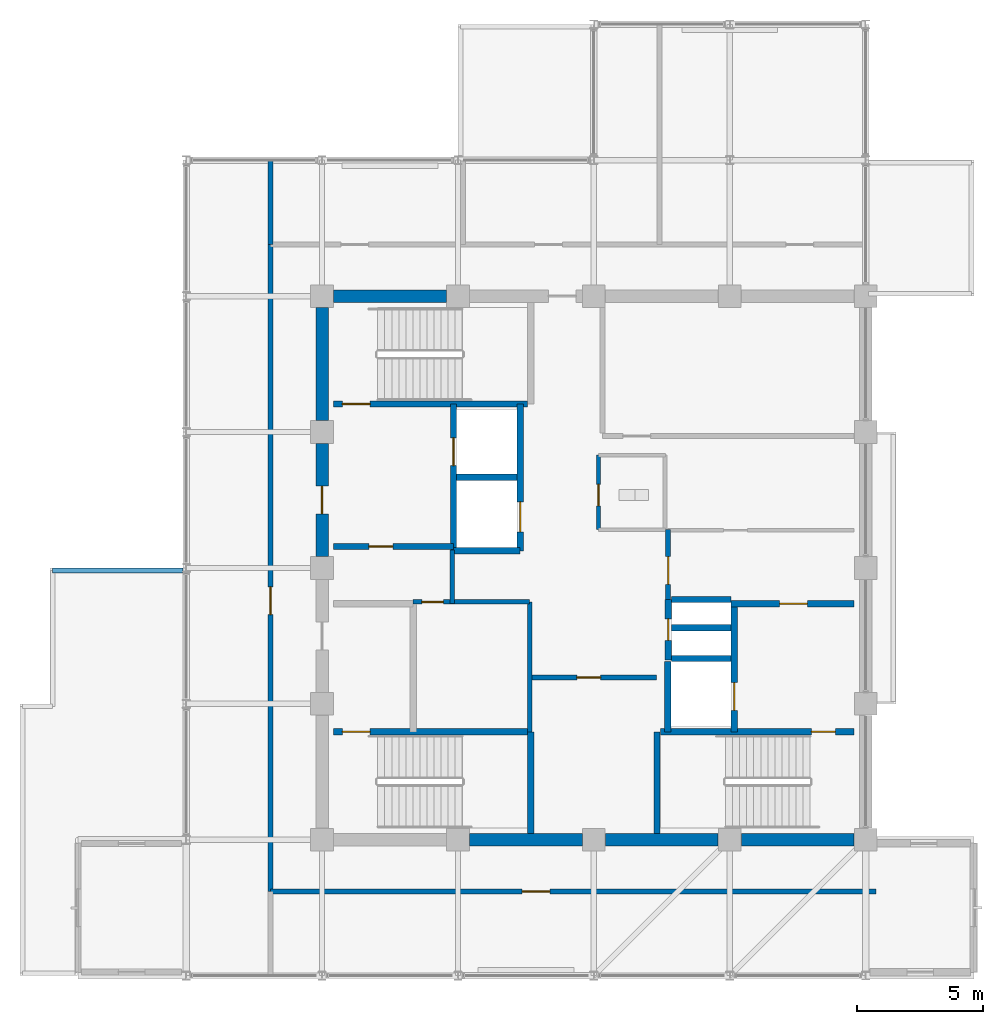
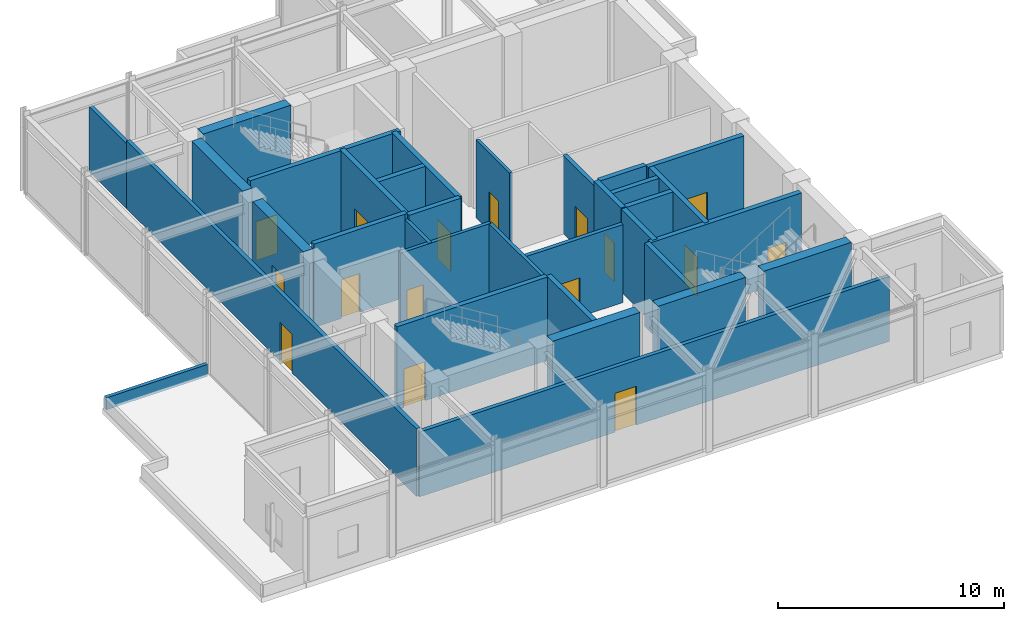
# One storey, part 13 of 18: 33 walls, 16 doors, 16 openings.
"""IFC4 building model written with IfcOpenShell, lengths in metres."""

from ifc_helpers import new_model, si_unit, direction, frame, frame_2d, origin, place, context, subcontext, project, spatial, rectangle, extrude, material, layer, layer_set, type_object, element, fill, save


model = new_model("IFC4")

# Units and contexts
model_context = context("Model", 3, precision=1e-05, world=origin(), true_north=direction((0.0, 1.0)))
body_context = subcontext(model_context, "Body", "Model", "MODEL_VIEW")
ifc_project = project(units=[si_unit("LENGTHUNIT", "METRE"), si_unit("AREAUNIT", "SQUARE_METRE"), si_unit("VOLUMEUNIT", "CUBIC_METRE"), si_unit("PLANEANGLEUNIT", "RADIAN"), si_unit("MASSUNIT", "GRAM", prefix="KILO")], contexts=[model_context])

# Site, building, storey
site_placement = place(None, origin())
site = spatial("IfcSite", under=ifc_project, at=site_placement, CompositionType="ELEMENT")
building_placement = place(site_placement, origin())
building = spatial("IfcBuilding", under=site, at=building_placement, Name="Surkhivell Harbour Commons", CompositionType="ELEMENT")
storey_placement = place(building_placement, frame((0.0, 0.0, 351.0)))
storey = spatial("IfcBuildingStorey", under=building, at=storey_placement, Name="L91", CompositionType="ELEMENT", Elevation=351.0)

# Walls
ifc_material_1 = material(Name="Concrete C50/60", Category="concrete")
ifc_layer_1 = layer(ifc_material_1, 0.5)
ifc_layer_set_1 = layer_set([ifc_layer_1], Name="Concrete C50/60")
wall_type_1 = type_object("IfcWallType", Name="WAL-CORE-500", PredefinedType="SHEAR", material=ifc_layer_set_1)
for number, where, z_axis, x_axis, name in (
    (1, (-10.340087890625, 10.800048828125, 0.0), (0.0, 0.0, 1.0), (1.0, 0.0, 0.0), "L91 Core Shear Wall North 1"),
    (2, (-4.93994140625, -10.800048828125, 0.0), (0.0, 0.0, 1.0), (1.0, 0.0, 0.0), "L91 Core Shear Wall South 2"),
    (3, (0.4599609375, -10.800048828125, 0.0), (0.0, 0.0, 1.0), (1.0, 0.0, 0.0), "L91 Core Shear Wall South 3"),
):
    element("IfcWall", number, at=place(storey_placement, frame(where, z_axis=z_axis, x_axis=x_axis)), inside=storey, type_object=wall_type_1, Name=name, PredefinedType="SHEAR", context=body_context, shape_type="SweptSolid", body=[
        extrude(rectangle(XDim=4.47998046875, YDim=0.5, at=frame_2d((2.239990234375, 0.0))), origin(), (0.0, 0.0, 1.0), 4.5),
    ])

# Wall, opening, door
wall_1_placement = place(storey_placement, frame((-10.800048828125, 0.4599609375, 0.0), z_axis=(0.0, 0.0, 1.0), x_axis=(0.0, 1.0, 0.0)))
wall_1 = element("IfcWall", 4, at=wall_1_placement, inside=storey, type_object=wall_type_1, Name="L91 Core Shear Wall West 3", PredefinedType="SHEAR", context=body_context, shape_type="SweptSolid", body=[
    extrude(rectangle(XDim=4.47998046875, YDim=0.5, at=frame_2d((2.239990234375, 0.0))), origin(), (0.0, 0.0, 1.0), 4.5),
])
opening_1_placement = place(wall_1_placement, frame((1.68994140625, 0.0, 0.0)))
opening_1 = element("IfcOpeningElement", 5, at=opening_1_placement, cuts=wall_1, Name="Opening ID-1", PredefinedType="OPENING", context=body_context, shape_type="SweptSolid", body=[
    extrude(rectangle(XDim=1.10009765625, YDim=2.10009765625, at=frame_2d((0.550048828125, 1.050048828125))), frame((0.0, 0.260009765625, 0.0), z_axis=(0.0, -1.0, 0.0), x_axis=(1.0, 0.0, 0.0)), (0.0, 0.0, 1.0), 0.52001953125),
])
ifc_material_2 = material(Name="Hardwood-veneered fire-rated door leaf", Category="wood")
door_type_1 = type_object("IfcDoorType", Name="DOR-FD120-1100", OperationType="NOTDEFINED", PredefinedType="DOOR", material=ifc_material_2)
door_1_placement = place(opening_1_placement, origin())
door_1 = element("IfcDoor", 6, at=door_1_placement, inside=storey, type_object=door_type_1, Name="L91 Firefighting Lobby 1 Corridor Door", OperationType="SINGLE_SWING_LEFT", OverallHeight=2.10009765625, OverallWidth=1.10009765625, PredefinedType="DOOR", context=body_context, shape_type="SweptSolid", body=[
    extrude(rectangle(XDim=1.10009765625, YDim=2.10009765625, at=frame_2d((0.550048828125, 1.050048828125))), frame((0.0, 0.02490234375, 0.0), z_axis=(0.0, -1.0, 0.0), x_axis=(1.0, 0.0, 0.0)), (0.0, 0.0, 1.0), 0.050048828125),
])
fill(opening_1, door_1)

# Walls
for number, where, z_axis, x_axis, name in (
    (7, (5.860107421875, -10.800048828125, 0.0), (0.0, 0.0, 1.0), (1.0, 0.0, 0.0), "L91 Core Shear Wall South 4"),
    (8, (-10.800048828125, 5.860107421875, 0.0), (0.0, 0.0, 1.0), (0.0, 1.0, 0.0), "L91 Core Shear Wall West 4"),
):
    element("IfcWall", number, at=place(storey_placement, frame(where, z_axis=z_axis, x_axis=x_axis)), inside=storey, type_object=wall_type_1, Name=name, PredefinedType="SHEAR", context=body_context, shape_type="SweptSolid", body=[
        extrude(rectangle(XDim=4.47998046875, YDim=0.5, at=frame_2d((2.239990234375, 0.0))), origin(), (0.0, 0.0, 1.0), 4.5),
    ])

# Wall, opening, door
ifc_material_3 = material(Name="Twin-stud acoustic fireboard partition", Category="other")
ifc_layer_2 = layer(ifc_material_3, 0.14990234375)
ifc_layer_set_2 = layer_set([ifc_layer_2], Name="Twin-stud acoustic fireboard partition")
wall_type_2 = type_object("IfcWallType", Name="WAL-INT-150", PredefinedType="PARTITIONING", material=ifc_layer_set_2)
wall_2_placement = place(storey_placement, frame((0.179931640625, 1.52001953125, 0.0), z_axis=(0.0, 0.0, 1.0), x_axis=(0.0, 1.0, 0.0)))
wall_2 = element("IfcWall", 9, at=wall_2_placement, inside=storey, type_object=wall_type_2, Name="L91 Core Accessible WC West Wall", PredefinedType="PARTITIONING", context=body_context, shape_type="SweptSolid", body=[
    extrude(rectangle(XDim=2.9599609375, YDim=0.14990234375, at=frame_2d((1.47998046875, 0.0))), origin(), (0.0, 0.0, 1.0), 4.219970703125),
])
opening_2_placement = place(wall_2_placement, frame((0.949951171875, 0.0, 0.0)))
opening_2 = element("IfcOpeningElement", 10, at=opening_2_placement, cuts=wall_2, Name="Opening ID-6", PredefinedType="OPENING", context=body_context, shape_type="SweptSolid", body=[
    extrude(rectangle(XDim=0.85009765625, YDim=2.10009765625, at=frame_2d((0.425048828125, 1.050048828125))), frame((0.0, 0.0849609375, 0.0), z_axis=(0.0, -1.0, 0.0), x_axis=(1.0, 0.0, 0.0)), (0.0, 0.0, 1.0), 0.169921875),
])
door_type_2 = type_object("IfcDoorType", Name="DOR-FD30-850", OperationType="NOTDEFINED", PredefinedType="DOOR", material=ifc_material_2)
door_2_placement = place(opening_2_placement, origin())
door_2 = element("IfcDoor", 11, at=door_2_placement, inside=storey, type_object=door_type_2, Name="L91 Floor Accessible WC Door", OperationType="SINGLE_SWING_RIGHT", OverallHeight=2.10009765625, OverallWidth=0.85009765625, PredefinedType="DOOR", context=body_context, shape_type="SweptSolid", body=[
    extrude(rectangle(XDim=0.85009765625, YDim=2.10009765625, at=frame_2d((0.425048828125, 1.050048828125))), frame((0.0, 0.02490234375, 0.0), z_axis=(0.0, -1.0, 0.0), x_axis=(1.0, 0.0, 0.0)), (0.0, 0.0, 1.0), 0.050048828125),
])
fill(opening_2, door_2)

# Wall
ifc_material_4 = material(Name="High-density acoustic blockwork fire partition", Category="masonry")
ifc_layer_3 = layer(ifc_material_4, 0.175048828125)
ifc_layer_set_3 = layer_set([ifc_layer_3], Name="High-density acoustic blockwork fire partition")
wall_type_3 = type_object("IfcWallType", Name="WAL-INT-175", PredefinedType="PARTITIONING", material=ifc_layer_set_3)
wall_3_placement = place(storey_placement, frame((-2.550048828125, -6.510009765625, 0.0), z_axis=(0.0, 0.0, 1.0), x_axis=(0.0, 1.0, 0.0)))
element("IfcWall", 12, at=wall_3_placement, inside=storey, type_object=wall_type_3, Name="L91 Core Service Bay East Wall", PredefinedType="PARTITIONING", context=body_context, shape_type="SweptSolid", body=[
    extrude(rectangle(XDim=5.159912109375, YDim=0.175048828125, at=frame_2d((2.580078125, 0.0))), origin(), (0.0, 0.0, 1.0), 4.219970703125),
])

# Wall, opening, door
wall_4_placement = place(storey_placement, frame((-7.179931640625, -1.35009765625, 0.0), z_axis=(0.0, 0.0, 1.0), x_axis=(1.0, 0.0, 0.0)))
wall_4 = element("IfcWall", 13, at=wall_4_placement, inside=storey, type_object=wall_type_3, Name="L91 Core Service Bay North Wall", PredefinedType="PARTITIONING", context=body_context, shape_type="SweptSolid", body=[
    extrude(rectangle(XDim=4.6298828125, YDim=0.175048828125, at=frame_2d((2.31494140625, 0.0))), origin(), (0.0, 0.0, 1.0), 4.219970703125),
])
opening_3_placement = place(wall_4_placement, frame((0.345947265625, 0.0, 0.0)))
opening_3 = element("IfcOpeningElement", 14, at=opening_3_placement, cuts=wall_4, Name="Opening ID-6", PredefinedType="OPENING", context=body_context, shape_type="SweptSolid", body=[
    extrude(rectangle(XDim=0.85009765625, YDim=2.10009765625, at=frame_2d((0.425048828125, 1.050048828125))), frame((0.0, 0.097412109375, 0.0), z_axis=(0.0, -1.0, 0.0), x_axis=(1.0, 0.0, 0.0)), (0.0, 0.0, 1.0), 0.195068359375),
])
door_3_placement = place(opening_3_placement, origin())
door_3 = element("IfcDoor", 15, at=door_3_placement, inside=storey, type_object=door_type_2, Name="L91 Core Metering Door", OperationType="SINGLE_SWING_LEFT", OverallHeight=2.10009765625, OverallWidth=0.85009765625, PredefinedType="DOOR", context=body_context, shape_type="SweptSolid", body=[
    extrude(rectangle(XDim=0.85009765625, YDim=2.10009765625, at=frame_2d((0.425048828125, 1.050048828125))), frame((0.0, 0.02490234375, 0.0), z_axis=(0.0, -1.0, 0.0), x_axis=(1.0, 0.0, 0.0)), (0.0, 0.0, 1.0), 0.050048828125),
])
fill(opening_3, door_3)

# Wall
wall_5_placement = place(storey_placement, frame((-5.6201171875, -1.419921875, 0.0), z_axis=(0.0, 0.0, 1.0), x_axis=(0.0, 1.0, 0.0)))
element("IfcWall", 16, at=wall_5_placement, inside=storey, type_object=wall_type_3, Name="L91 West Core Bay East Wall", PredefinedType="PARTITIONING", context=body_context, shape_type="SweptSolid", body=[
    extrude(rectangle(XDim=2.139892578125, YDim=0.175048828125, at=frame_2d((1.06982421875, 0.0))), origin(), (0.0, 0.0, 1.0), 4.219970703125),
])

# Wall, opening, door
ifc_material_5 = material(Name="Autoclaved aerated concrete blockwork and fire plaster", Category="masonry")
ifc_layer_4 = layer(ifc_material_5, 0.199951171875)
ifc_layer_set_4 = layer_set([ifc_layer_4], Name="Autoclaved aerated concrete blockwork and fire plaster")
wall_type_4 = type_object("IfcWallType", Name="WAL-INT-200", PredefinedType="PARTITIONING", material=ifc_layer_set_4)
wall_6_placement = place(storey_placement, frame((-2.47998046875, -4.35009765625, 0.0), z_axis=(0.0, 0.0, 1.0), x_axis=(1.0, 0.0, 0.0)))
wall_6 = element("IfcWall", 17, at=wall_6_placement, inside=storey, type_object=wall_type_4, Name="L91 Core Maintenance Store North Wall", PredefinedType="PARTITIONING", context=body_context, shape_type="SweptSolid", body=[
    extrude(rectangle(XDim=4.9599609375, YDim=0.199951171875, at=frame_2d((2.47998046875, 0.0))), origin(), (0.0, 0.0, 1.0), 4.219970703125),
])
opening_4_placement = place(wall_6_placement, frame((1.800048828125, 0.0, 0.0)))
opening_4 = element("IfcOpeningElement", 18, at=opening_4_placement, cuts=wall_6, Name="Opening ID-4", PredefinedType="OPENING", context=body_context, shape_type="SweptSolid", body=[
    extrude(rectangle(XDim=0.949951171875, YDim=2.10009765625, at=frame_2d((0.47509765625, 1.050048828125))), frame((0.0, 0.10986328125, 0.0), z_axis=(0.0, -1.0, 0.0), x_axis=(1.0, 0.0, 0.0)), (0.0, 0.0, 1.0), 0.219970703125),
])
door_type_3 = type_object("IfcDoorType", Name="DOR-FD60-950", OperationType="NOTDEFINED", PredefinedType="DOOR", material=ifc_material_2)
door_4_placement = place(opening_4_placement, origin())
door_4 = element("IfcDoor", 19, at=door_4_placement, inside=storey, type_object=door_type_3, Name="L91 Maintenance Store Door", OperationType="SINGLE_SWING_LEFT", OverallHeight=2.10009765625, OverallWidth=0.949951171875, PredefinedType="DOOR", context=body_context, shape_type="SweptSolid", body=[
    extrude(rectangle(XDim=0.949951171875, YDim=2.10009765625, at=frame_2d((0.47509765625, 1.050048828125))), frame((0.0, 0.02490234375, 0.0), z_axis=(0.0, -1.0, 0.0), x_axis=(1.0, 0.0, 0.0)), (0.0, 0.0, 1.0), 0.050048828125),
])
fill(opening_4, door_4)

wall_7_placement = place(storey_placement, frame((2.949951171875, -1.25, 0.0), z_axis=(0.0, 0.0, 1.0), x_axis=(0.0, 1.0, 0.0)))
wall_7 = element("IfcWall", 20, at=wall_7_placement, inside=storey, type_object=wall_type_4, Name="L91 Reclaimed East Core West Wall", PredefinedType="PARTITIONING", context=body_context, shape_type="SweptSolid", body=[
    extrude(rectangle(XDim=2.77001953125, YDim=0.199951171875, at=frame_2d((1.385009765625, 0.0))), origin(), (0.0, 0.0, 1.0), 4.219970703125),
])
opening_5_placement = place(wall_7_placement, frame((0.60009765625, 0.0, 0.0)))
opening_5 = element("IfcOpeningElement", 21, at=opening_5_placement, cuts=wall_7, Name="Opening ID-2", PredefinedType="OPENING", context=body_context, shape_type="SweptSolid", body=[
    extrude(rectangle(XDim=1.10009765625, YDim=2.10009765625, at=frame_2d((0.550048828125, 1.050048828125))), frame((0.0, 0.10986328125, 0.0), z_axis=(0.0, -1.0, 0.0), x_axis=(1.0, 0.0, 0.0)), (0.0, 0.0, 1.0), 0.219970703125),
])
door_type_4 = type_object("IfcDoorType", Name="DOR-FD60-1100", OperationType="NOTDEFINED", PredefinedType="DOOR", material=ifc_material_2)
door_5_placement = place(opening_5_placement, origin())
door_5 = element("IfcDoor", 22, at=door_5_placement, inside=storey, type_object=door_type_4, Name="L91 Crown East Escape Door", OperationType="SINGLE_SWING_LEFT", OverallHeight=2.10009765625, OverallWidth=1.10009765625, PredefinedType="DOOR", context=body_context, shape_type="SweptSolid", body=[
    extrude(rectangle(XDim=1.10009765625, YDim=2.10009765625, at=frame_2d((0.550048828125, 1.050048828125))), frame((0.0, 0.02490234375, 0.0), z_axis=(0.0, -1.0, 0.0), x_axis=(1.0, 0.0, 0.0)), (0.0, 0.0, 1.0), 0.050048828125),
])
fill(opening_5, door_5)

# Wall
wall_8_placement = place(storey_placement, frame((-12.85009765625, 12.85009765625, 0.0), z_axis=(0.0, 0.0, 1.0), x_axis=(0.0, 1.0, 0.0)))
element("IfcWall", 23, at=wall_8_placement, inside=storey, type_object=wall_type_4, Name="L91 Crown NW Corner Wall", PredefinedType="PARTITIONING", context=body_context, shape_type="SweptSolid", body=[
    extrude(rectangle(XDim=3.309814453125, YDim=0.199951171875, at=frame_2d((1.65478515625, 0.0))), origin(), (0.0, 0.0, 1.0), 3.507080078125),
])

# Wall, opening, door
wall_9_placement = place(storey_placement, frame((-12.85009765625, -12.85009765625, 0.0), z_axis=(0.0, 0.0, 1.0), x_axis=(1.0, 0.0, 0.0)))
wall_9 = element("IfcWall", 24, at=wall_9_placement, inside=storey, type_object=wall_type_4, Name="L91 Crown Corridor South Wall", PredefinedType="PARTITIONING", context=body_context, shape_type="SweptSolid", body=[
    extrude(rectangle(XDim=24.050048828125, YDim=0.199951171875, at=frame_2d((12.02490234375, 0.0))), origin(), (0.0, 0.0, 1.0), 3.507080078125),
])
opening_6_placement = place(wall_9_placement, frame((10.0, 0.0, 0.0)))
opening_6 = element("IfcOpeningElement", 25, at=opening_6_placement, cuts=wall_9, Name="Opening ID-2", PredefinedType="OPENING", context=body_context, shape_type="SweptSolid", body=[
    extrude(rectangle(XDim=1.10009765625, YDim=2.10009765625, at=frame_2d((0.550048828125, 1.050048828125))), frame((0.0, 0.10986328125, 0.0), z_axis=(0.0, -1.0, 0.0), x_axis=(1.0, 0.0, 0.0)), (0.0, 0.0, 1.0), 0.219970703125),
])
door_6_placement = place(opening_6_placement, origin())
door_6 = element("IfcDoor", 26, at=door_6_placement, inside=storey, type_object=door_type_4, Name="L91 L91 Roof Lift Machine and Switchgear Hall Door", OperationType="SINGLE_SWING_RIGHT", OverallHeight=2.10009765625, OverallWidth=1.10009765625, PredefinedType="DOOR", context=body_context, shape_type="SweptSolid", body=[
    extrude(rectangle(XDim=1.10009765625, YDim=2.10009765625, at=frame_2d((0.550048828125, 1.050048828125))), frame((0.0, 0.02490234375, 0.0), z_axis=(0.0, -1.0, 0.0), x_axis=(1.0, 0.0, 0.0)), (0.0, 0.0, 1.0), 0.050048828125),
])
fill(opening_6, door_6)

wall_10_placement = place(storey_placement, frame((-12.85009765625, -12.85009765625, 0.0), z_axis=(0.0, 0.0, 1.0), x_axis=(0.0, 1.0, 0.0)))
wall_10 = element("IfcWall", 27, at=wall_10_placement, inside=storey, type_object=wall_type_4, Name="L91 Crown Corridor West Wall", PredefinedType="PARTITIONING", context=body_context, shape_type="SweptSolid", body=[
    extrude(rectangle(XDim=25.7001953125, YDim=0.199951171875, at=frame_2d((12.85009765625, 0.0))), origin(), (0.0, 0.0, 1.0), 3.6630859375),
])
opening_7_placement = place(wall_10_placement, frame((11.0, 0.0, 0.0)))
opening_7 = element("IfcOpeningElement", 28, at=opening_7_placement, cuts=wall_10, Name="Opening ID-2", PredefinedType="OPENING", context=body_context, shape_type="SweptSolid", body=[
    extrude(rectangle(XDim=1.10009765625, YDim=2.10009765625, at=frame_2d((0.550048828125, 1.050048828125))), frame((0.0, 0.10986328125, 0.0), z_axis=(0.0, -1.0, 0.0), x_axis=(1.0, 0.0, 0.0)), (0.0, 0.0, 1.0), 0.219970703125),
])
door_7_placement = place(opening_7_placement, origin())
door_7 = element("IfcDoor", 29, at=door_7_placement, inside=storey, type_object=door_type_4, Name="L91 L91 Make-Up Water Tank Hall Door", OperationType="SINGLE_SWING_LEFT", OverallHeight=2.10009765625, OverallWidth=1.10009765625, PredefinedType="DOOR", context=body_context, shape_type="SweptSolid", body=[
    extrude(rectangle(XDim=1.10009765625, YDim=2.10009765625, at=frame_2d((0.550048828125, 1.050048828125))), frame((0.0, 0.02490234375, 0.0), z_axis=(0.0, -1.0, 0.0), x_axis=(1.0, 0.0, 0.0)), (0.0, 0.0, 1.0), 0.050048828125),
])
fill(opening_7, door_7)

# Wall
ifc_material_6 = material(Name="Anodised aluminium and precast concrete C40/50", Category="concrete")
ifc_layer_5 = layer(ifc_material_6, 0.18505859375)
ifc_layer_set_5 = layer_set([ifc_layer_5], Name="Anodised aluminium and precast concrete C40/50")
wall_type_5 = type_object("IfcWallType", Name="WAL-PAR-185", PredefinedType="PARAPET", material=ifc_layer_set_5)
wall_11_placement = place(storey_placement, frame((-16.320068359375, -0.10009765625, 0.0), z_axis=(0.0, 0.0, 1.0), x_axis=(-1.0, 0.0, 0.0)))
element("IfcWall", 30, at=wall_11_placement, inside=storey, type_object=wall_type_5, Name="L91 Box Roof Coping Parapet 1-1", PredefinedType="PARAPET", context=body_context, shape_type="SweptSolid", body=[
    extrude(rectangle(XDim=5.179931640625, YDim=0.18505859375, at=frame_2d((2.58984375, 0.0))), origin(), (0.0, 0.0, 1.0), 0.64990234375),
])

# Wall, opening, door
ifc_layer_6 = layer(ifc_material_1, 0.25)
ifc_layer_set_6 = layer_set([ifc_layer_6], Name="Concrete C50/60")
wall_type_6 = type_object("IfcWallType", Name="WAL-SHAFT-250", PredefinedType="SHEAR", material=ifc_layer_set_6)
wall_12_placement = place(storey_placement, frame((-5.580078125, 0.719970703125, 0.0), z_axis=(0.0, 0.0, 1.0), x_axis=(0.0, 1.0, 0.0)))
wall_12 = element("IfcWall", 31, at=wall_12_placement, inside=storey, type_object=wall_type_6, Name="L91 Firefighting Lobby 1 East Shaft Wall", PredefinedType="SHEAR", context=body_context, shape_type="SweptSolid", body=[
    extrude(rectangle(XDim=5.7900390625, YDim=0.25, at=frame_2d((2.89501953125, 0.0))), origin(), (0.0, 0.0, 1.0), 4.5),
])
opening_8_placement = place(wall_12_placement, frame((3.35009765625, 0.0, 0.0)))
opening_8 = element("IfcOpeningElement", 32, at=opening_8_placement, cuts=wall_12, Name="Opening LD-1", PredefinedType="OPENING", context=body_context, shape_type="SweptSolid", body=[
    extrude(rectangle(XDim=1.10009765625, YDim=2.10009765625, at=frame_2d((0.550048828125, 1.050048828125))), frame((0.0, 0.135009765625, 0.0), z_axis=(0.0, -1.0, 0.0), x_axis=(1.0, 0.0, 0.0)), (0.0, 0.0, 1.0), 0.27001953125),
])
ifc_material_7 = material(Name="Brushed stainless steel S355", Category="steel")
door_type_5 = type_object("IfcDoorType", Name="DOR-LD-1100", OperationType="SLIDING_TO_LEFT", PredefinedType="DOOR", material=ifc_material_7)
door_8_placement = place(opening_8_placement, origin())
door_8 = element("IfcDoor", 33, at=door_8_placement, inside=storey, type_object=door_type_5, Name="L91 Lift Landing Door LD-FFL1", OperationType="SLIDING_TO_LEFT", OverallHeight=2.10009765625, OverallWidth=1.10009765625, PredefinedType="DOOR", context=body_context, shape_type="SweptSolid", body=[
    extrude(rectangle(XDim=1.10009765625, YDim=2.10009765625, at=frame_2d((0.550048828125, 1.050048828125))), frame((0.0, 0.02490234375, 0.0), z_axis=(0.0, -1.0, 0.0), x_axis=(1.0, 0.0, 0.0)), (0.0, 0.0, 1.0), 0.050048828125),
])
fill(opening_8, door_8)

wall_13_placement = place(storey_placement, frame((-10.340087890625, 0.85009765625, 0.0), z_axis=(0.0, 0.0, 1.0), x_axis=(1.0, 0.0, 0.0)))
wall_13 = element("IfcWall", 34, at=wall_13_placement, inside=storey, type_object=wall_type_6, Name="L91 Firefighting Lobby 1 South Wall", PredefinedType="SHEAR", context=body_context, shape_type="SweptSolid", body=[
    extrude(rectangle(XDim=4.760009765625, YDim=0.25, at=frame_2d((2.3798828125, 0.0))), origin(), (0.0, 0.0, 1.0), 4.5),
])
opening_9_placement = place(wall_13_placement, frame((1.39990234375, 0.0, 0.0)))
opening_9 = element("IfcOpeningElement", 35, at=opening_9_placement, cuts=wall_13, Name="Opening ID-4", PredefinedType="OPENING", context=body_context, shape_type="SweptSolid", body=[
    extrude(rectangle(XDim=0.949951171875, YDim=2.10009765625, at=frame_2d((0.47509765625, 1.050048828125))), frame((0.0, 0.135009765625, 0.0), z_axis=(0.0, -1.0, 0.0), x_axis=(1.0, 0.0, 0.0)), (0.0, 0.0, 1.0), 0.27001953125),
])
door_9_placement = place(opening_9_placement, origin())
door_9 = element("IfcDoor", 36, at=door_9_placement, inside=storey, type_object=door_type_3, Name="L91 Core BMS Room Door", OperationType="SINGLE_SWING_RIGHT", OverallHeight=2.10009765625, OverallWidth=0.949951171875, PredefinedType="DOOR", context=body_context, shape_type="SweptSolid", body=[
    extrude(rectangle(XDim=0.949951171875, YDim=2.10009765625, at=frame_2d((0.47509765625, 1.050048828125))), frame((0.0, 0.02490234375, 0.0), z_axis=(0.0, -1.0, 0.0), x_axis=(1.0, 0.0, 0.0)), (0.0, 0.0, 1.0), 0.050048828125),
])
fill(opening_9, door_9)

# Wall
wall_14_placement = place(storey_placement, frame((2.929931640625, -6.510009765625, 0.0), z_axis=(0.0, 0.0, 1.0), x_axis=(0.0, 1.0, 0.0)))
element("IfcWall", 37, at=wall_14_placement, inside=storey, type_object=wall_type_6, Name="L91 FFL2 West Shaft Wall", PredefinedType="SHEAR", context=body_context, shape_type="SweptSolid", body=[
    extrude(rectangle(XDim=2.7900390625, YDim=0.25, at=frame_2d((1.39501953125, 0.0))), origin(), (0.0, 0.0, 1.0), 4.5),
])

# Wall, opening, door
wall_15_placement = place(storey_placement, frame((5.43994140625, -1.419921875, 0.0), z_axis=(0.0, 0.0, 1.0), x_axis=(1.0, 0.0, 0.0)))
wall_15 = element("IfcWall", 38, at=wall_15_placement, inside=storey, type_object=wall_type_6, Name="L91 Firefighting Lobby 2 North Wall", PredefinedType="SHEAR", context=body_context, shape_type="SweptSolid", body=[
    extrude(rectangle(XDim=4.900146484375, YDim=0.25, at=frame_2d((2.4501953125, 0.0))), origin(), (0.0, 0.0, 1.0), 4.5),
])
opening_10_placement = place(wall_15_placement, frame((1.93994140625, 0.0, 0.0)))
opening_10 = element("IfcOpeningElement", 39, at=opening_10_placement, cuts=wall_15, Name="Opening ID-1", PredefinedType="OPENING", context=body_context, shape_type="SweptSolid", body=[
    extrude(rectangle(XDim=1.10009765625, YDim=2.10009765625, at=frame_2d((0.550048828125, 1.050048828125))), frame((0.0, 0.135009765625, 0.0), z_axis=(0.0, -1.0, 0.0), x_axis=(1.0, 0.0, 0.0)), (0.0, 0.0, 1.0), 0.27001953125),
])
door_10_placement = place(opening_10_placement, origin())
door_10 = element("IfcDoor", 40, at=door_10_placement, inside=storey, type_object=door_type_1, Name="L91 Firefighting Lobby 2 Inner Door", OperationType="SINGLE_SWING_LEFT", OverallHeight=2.10009765625, OverallWidth=1.10009765625, PredefinedType="DOOR", context=body_context, shape_type="SweptSolid", body=[
    extrude(rectangle(XDim=1.10009765625, YDim=2.10009765625, at=frame_2d((0.550048828125, 1.050048828125))), frame((0.0, 0.02490234375, 0.0), z_axis=(0.0, -1.0, 0.0), x_axis=(1.0, 0.0, 0.0)), (0.0, 0.0, 1.0), 0.050048828125),
])
fill(opening_10, door_10)

# Wall
wall_16_placement = place(storey_placement, frame((3.080078125, -3.60009765625, 0.0), z_axis=(0.0, 0.0, 1.0), x_axis=(1.0, 0.0, 0.0)))
element("IfcWall", 41, at=wall_16_placement, inside=storey, type_object=wall_type_6, Name="L91 FFL2 North Shaft Wall", PredefinedType="SHEAR", context=body_context, shape_type="SweptSolid", body=[
    extrude(rectangle(XDim=2.369873046875, YDim=0.25, at=frame_2d((1.18505859375, 0.0))), origin(), (0.0, 0.0, 1.0), 4.5),
])

# Wall, opening, door
wall_17_placement = place(storey_placement, frame((5.580078125, -6.510009765625, 0.0), z_axis=(0.0, 0.0, 1.0), x_axis=(0.0, 1.0, 0.0)))
wall_17 = element("IfcWall", 42, at=wall_17_placement, inside=storey, type_object=wall_type_6, Name="L91 Firefighting Lobby 2 West Shaft Wall", PredefinedType="SHEAR", context=body_context, shape_type="SweptSolid", body=[
    extrude(rectangle(XDim=5.090087890625, YDim=0.25, at=frame_2d((2.544921875, 0.0))), origin(), (0.0, 0.0, 1.0), 4.5),
])
opening_11_placement = place(wall_17_placement, frame((0.85009765625, 0.0, 0.0)))
opening_11 = element("IfcOpeningElement", 43, at=opening_11_placement, cuts=wall_17, Name="Opening LD-1", PredefinedType="OPENING", context=body_context, shape_type="SweptSolid", body=[
    extrude(rectangle(XDim=1.10009765625, YDim=2.10009765625, at=frame_2d((0.550048828125, 1.050048828125))), frame((0.0, 0.135009765625, 0.0), z_axis=(0.0, -1.0, 0.0), x_axis=(1.0, 0.0, 0.0)), (0.0, 0.0, 1.0), 0.27001953125),
])
door_11_placement = place(opening_11_placement, origin())
door_11 = element("IfcDoor", 44, at=door_11_placement, inside=storey, type_object=door_type_5, Name="L91 Lift Landing Door LD-FFL2", OperationType="SLIDING_TO_RIGHT", OverallHeight=2.10009765625, OverallWidth=1.10009765625, PredefinedType="DOOR", context=body_context, shape_type="SweptSolid", body=[
    extrude(rectangle(XDim=1.10009765625, YDim=2.10009765625, at=frame_2d((0.550048828125, 1.050048828125))), frame((0.0, 0.02490234375, 0.0), z_axis=(0.0, -1.0, 0.0), x_axis=(1.0, 0.0, 0.0)), (0.0, 0.0, 1.0), 0.050048828125),
])
fill(opening_11, door_11)

# Walls
for number, where, z_axis, x_axis, name in (
    (45, (3.080078125, -2.3798828125, 0.0), (0.0, 0.0, 1.0), (1.0, 0.0, 0.0), "L91 Riser Divider Wall"),
    (46, (3.080078125, -1.25, 0.0), (0.0, 0.0, 1.0), (1.0, 0.0, 0.0), "L91 Riser North Wall"),
):
    element("IfcWall", number, at=place(storey_placement, frame(where, z_axis=z_axis, x_axis=x_axis)), inside=storey, type_object=wall_type_6, Name=name, PredefinedType="SHEAR", context=body_context, shape_type="SweptSolid", body=[
        extrude(rectangle(XDim=2.369873046875, YDim=0.25, at=frame_2d((1.18505859375, 0.0))), origin(), (0.0, 0.0, 1.0), 4.5),
    ])

# Wall, opening, door
wall_18_placement = place(storey_placement, frame((2.949951171875, -3.64990234375, 0.0), z_axis=(0.0, 0.0, 1.0), x_axis=(0.0, 1.0, 0.0)))
wall_18 = element("IfcWall", 47, at=wall_18_placement, inside=storey, type_object=wall_type_6, Name="L91 Riser Shaft West Wall", PredefinedType="SHEAR", context=body_context, shape_type="SweptSolid", body=[
    extrude(rectangle(XDim=2.39990234375, YDim=0.25, at=frame_2d((1.199951171875, 0.0))), origin(), (0.0, 0.0, 1.0), 4.5),
])
opening_12_placement = place(wall_18_placement, frame((0.77490234375, 0.0, 0.0)))
opening_12 = element("IfcOpeningElement", 48, at=opening_12_placement, cuts=wall_18, Name="Opening ID-6", PredefinedType="OPENING", context=body_context, shape_type="SweptSolid", body=[
    extrude(rectangle(XDim=0.85009765625, YDim=2.10009765625, at=frame_2d((0.425048828125, 1.050048828125))), frame((0.0, 0.135009765625, 0.0), z_axis=(0.0, -1.0, 0.0), x_axis=(1.0, 0.0, 0.0)), (0.0, 0.0, 1.0), 0.27001953125),
])
door_12_placement = place(opening_12_placement, origin())
door_12 = element("IfcDoor", 49, at=door_12_placement, inside=storey, type_object=door_type_2, Name="L91 Electrical Riser Access Door", OperationType="SINGLE_SWING_LEFT", OverallHeight=2.10009765625, OverallWidth=0.85009765625, PredefinedType="DOOR", context=body_context, shape_type="SweptSolid", body=[
    extrude(rectangle(XDim=0.85009765625, YDim=2.10009765625, at=frame_2d((0.425048828125, 1.050048828125))), frame((0.0, 0.02490234375, 0.0), z_axis=(0.0, -1.0, 0.0), x_axis=(1.0, 0.0, 0.0)), (0.0, 0.0, 1.0), 0.050048828125),
])
fill(opening_12, door_12)

wall_19_placement = place(storey_placement, frame((-10.340087890625, 6.510009765625, 0.0), z_axis=(0.0, 0.0, 1.0), x_axis=(1.0, 0.0, 0.0)))
wall_19 = element("IfcWall", 50, at=wall_19_placement, inside=storey, type_object=wall_type_6, Name="L91 Stair ST1 South Shear Wall", PredefinedType="SHEAR", context=body_context, shape_type="SweptSolid", body=[
    extrude(rectangle(XDim=7.7001953125, YDim=0.25, at=frame_2d((3.85009765625, 0.0))), origin(), (0.0, 0.0, 1.0), 4.5),
])
opening_13_placement = place(wall_19_placement, frame((0.35009765625, 0.0, 0.0)))
opening_13 = element("IfcOpeningElement", 51, at=opening_13_placement, cuts=wall_19, Name="Opening ID-2", PredefinedType="OPENING", context=body_context, shape_type="SweptSolid", body=[
    extrude(rectangle(XDim=1.10009765625, YDim=2.10009765625, at=frame_2d((0.550048828125, 1.050048828125))), frame((0.0, 0.135009765625, 0.0), z_axis=(0.0, -1.0, 0.0), x_axis=(1.0, 0.0, 0.0)), (0.0, 0.0, 1.0), 0.27001953125),
])
door_13_placement = place(opening_13_placement, origin())
door_13 = element("IfcDoor", 52, at=door_13_placement, inside=storey, type_object=door_type_4, Name="L91 Stair ST1 Exit Door", OperationType="SINGLE_SWING_LEFT", OverallHeight=2.10009765625, OverallWidth=1.10009765625, PredefinedType="DOOR", context=body_context, shape_type="SweptSolid", body=[
    extrude(rectangle(XDim=1.10009765625, YDim=2.10009765625, at=frame_2d((0.550048828125, 1.050048828125))), frame((0.0, 0.02490234375, 0.0), z_axis=(0.0, -1.0, 0.0), x_axis=(1.0, 0.0, 0.0)), (0.0, 0.0, 1.0), 0.050048828125),
])
fill(opening_13, door_13)

wall_20_placement = place(storey_placement, frame((2.639892578125, -6.510009765625, 0.0), z_axis=(0.0, 0.0, 1.0), x_axis=(1.0, 0.0, 0.0)))
wall_20 = element("IfcWall", 53, at=wall_20_placement, inside=storey, type_object=wall_type_6, Name="L91 Stair ST2 North Shear Wall", PredefinedType="SHEAR", context=body_context, shape_type="SweptSolid", body=[
    extrude(rectangle(XDim=7.7001953125, YDim=0.25, at=frame_2d((3.85009765625, 0.0))), origin(), (0.0, 0.0, 1.0), 4.5),
])
opening_14_placement = place(wall_20_placement, frame((6.0, 0.0, 0.0)))
opening_14 = element("IfcOpeningElement", 54, at=opening_14_placement, cuts=wall_20, Name="Opening ID-4", PredefinedType="OPENING", context=body_context, shape_type="SweptSolid", body=[
    extrude(rectangle(XDim=0.949951171875, YDim=2.10009765625, at=frame_2d((0.47509765625, 1.050048828125))), frame((0.0, 0.135009765625, 0.0), z_axis=(0.0, -1.0, 0.0), x_axis=(1.0, 0.0, 0.0)), (0.0, 0.0, 1.0), 0.27001953125),
])
door_14_placement = place(opening_14_placement, origin())
door_14 = element("IfcDoor", 55, at=door_14_placement, inside=storey, type_object=door_type_3, Name="L91 Stair ST2 Exit Door", OperationType="SINGLE_SWING_RIGHT", OverallHeight=2.10009765625, OverallWidth=0.949951171875, PredefinedType="DOOR", context=body_context, shape_type="SweptSolid", body=[
    extrude(rectangle(XDim=0.949951171875, YDim=2.10009765625, at=frame_2d((0.47509765625, 1.050048828125))), frame((0.0, 0.02490234375, 0.0), z_axis=(0.0, -1.0, 0.0), x_axis=(1.0, 0.0, 0.0)), (0.0, 0.0, 1.0), 0.050048828125),
])
fill(opening_14, door_14)

# Walls
for number, where, z_axis, x_axis, name in (
    (56, (2.510009765625, -10.550048828125, 0.0), (0.0, 0.0, 1.0), (0.0, 1.0, 0.0), "L91 Stair ST2 West Shear Wall"),
    (57, (-2.510009765625, -10.550048828125, 0.0), (0.0, 0.0, 1.0), (0.0, 1.0, 0.0), "L91 Stair ST3 East Shear Wall"),
):
    element("IfcWall", number, at=place(storey_placement, frame(where, z_axis=z_axis, x_axis=x_axis)), inside=storey, type_object=wall_type_6, Name=name, PredefinedType="SHEAR", context=body_context, shape_type="SweptSolid", body=[
        extrude(rectangle(XDim=4.0400390625, YDim=0.25, at=frame_2d((2.02001953125, 0.0))), origin(), (0.0, 0.0, 1.0), 4.5),
    ])

# Wall, opening, door
wall_21_placement = place(storey_placement, frame((-10.340087890625, -6.510009765625, 0.0), z_axis=(0.0, 0.0, 1.0), x_axis=(1.0, 0.0, 0.0)))
wall_21 = element("IfcWall", 58, at=wall_21_placement, inside=storey, type_object=wall_type_6, Name="L91 Stair ST3 North Shear Wall", PredefinedType="SHEAR", context=body_context, shape_type="SweptSolid", body=[
    extrude(rectangle(XDim=7.7001953125, YDim=0.25, at=frame_2d((3.85009765625, 0.0))), origin(), (0.0, 0.0, 1.0), 4.5),
])
opening_15_placement = place(wall_21_placement, frame((0.35009765625, 0.0, 0.0)))
opening_15 = element("IfcOpeningElement", 59, at=opening_15_placement, cuts=wall_21, Name="Opening ID-2", PredefinedType="OPENING", context=body_context, shape_type="SweptSolid", body=[
    extrude(rectangle(XDim=1.10009765625, YDim=2.10009765625, at=frame_2d((0.550048828125, 1.050048828125))), frame((0.0, 0.135009765625, 0.0), z_axis=(0.0, -1.0, 0.0), x_axis=(1.0, 0.0, 0.0)), (0.0, 0.0, 1.0), 0.27001953125),
])
door_15_placement = place(opening_15_placement, origin())
door_15 = element("IfcDoor", 60, at=door_15_placement, inside=storey, type_object=door_type_4, Name="L91 Stair ST3 Exit Door", OperationType="SINGLE_SWING_RIGHT", OverallHeight=2.10009765625, OverallWidth=1.10009765625, PredefinedType="DOOR", context=body_context, shape_type="SweptSolid", body=[
    extrude(rectangle(XDim=1.10009765625, YDim=2.10009765625, at=frame_2d((0.550048828125, 1.050048828125))), frame((0.0, 0.02490234375, 0.0), z_axis=(0.0, -1.0, 0.0), x_axis=(1.0, 0.0, 0.0)), (0.0, 0.0, 1.0), 0.050048828125),
])
fill(opening_15, door_15)

wall_22_placement = place(storey_placement, frame((-2.929931640625, 0.679931640625, 0.0), z_axis=(0.0, 0.0, 1.0), x_axis=(0.0, 1.0, 0.0)))
wall_22 = element("IfcWall", 61, at=wall_22_placement, inside=storey, type_object=wall_type_6, Name="L91 Service and Fire Lift East Shaft Wall", PredefinedType="SHEAR", context=body_context, shape_type="SweptSolid", body=[
    extrude(rectangle(XDim=5.830078125, YDim=0.25, at=frame_2d((2.9150390625, 0.0))), origin(), (0.0, 0.0, 1.0), 4.5),
])
opening_16_placement = place(wall_22_placement, frame((0.75, 0.0, 0.0)))
opening_16 = element("IfcOpeningElement", 62, at=opening_16_placement, cuts=wall_22, Name="Opening LD-2", PredefinedType="OPENING", context=body_context, shape_type="SweptSolid", body=[
    extrude(rectangle(XDim=1.199951171875, YDim=2.10009765625, at=frame_2d((0.60009765625, 1.050048828125))), frame((0.0, 0.135009765625, 0.0), z_axis=(0.0, -1.0, 0.0), x_axis=(1.0, 0.0, 0.0)), (0.0, 0.0, 1.0), 0.27001953125),
])
door_type_6 = type_object("IfcDoorType", Name="DOR-LD-1200", OperationType="SLIDING_TO_LEFT", PredefinedType="DOOR", material=ifc_material_7)
door_16_placement = place(opening_16_placement, origin())
door_16 = element("IfcDoor", 63, at=door_16_placement, inside=storey, type_object=door_type_6, Name="L91 Lift Landing Door LD-SVL1", OperationType="SLIDING_TO_LEFT", OverallHeight=2.10009765625, OverallWidth=1.199951171875, PredefinedType="DOOR", context=body_context, shape_type="SweptSolid", body=[
    extrude(rectangle(XDim=1.199951171875, YDim=2.10009765625, at=frame_2d((0.60009765625, 1.050048828125))), frame((0.0, 0.02490234375, 0.0), z_axis=(0.0, -1.0, 0.0), x_axis=(1.0, 0.0, 0.0)), (0.0, 0.0, 1.0), 0.050048828125),
])
fill(opening_16, door_16)

# Walls
wall_23_placement = place(storey_placement, frame((-5.449951171875, 3.60009765625, 0.0), z_axis=(0.0, 0.0, 1.0), x_axis=(1.0, 0.0, 0.0)))
element("IfcWall", 64, at=wall_23_placement, inside=storey, type_object=wall_type_6, Name="L91 FFL1/SVL1 Shaft Divider", PredefinedType="SHEAR", context=body_context, shape_type="SweptSolid", body=[
    extrude(rectangle(XDim=2.389892578125, YDim=0.25, at=frame_2d((1.19482421875, 0.0))), origin(), (0.0, 0.0, 1.0), 4.5),
])
wall_24_placement = place(storey_placement, frame((-5.580078125, 0.679931640625, 0.0), z_axis=(0.0, 0.0, 1.0), x_axis=(1.0, 0.0, 0.0)))
element("IfcWall", 65, at=wall_24_placement, inside=storey, type_object=wall_type_6, Name="L91 SVL1 South Shaft Wall", PredefinedType="SHEAR", context=body_context, shape_type="SweptSolid", body=[
    extrude(rectangle(XDim=2.650146484375, YDim=0.25, at=frame_2d((1.3251953125, 0.0))), origin(), (0.0, 0.0, 1.0), 4.5),
])

save(model, "model.ifc")
